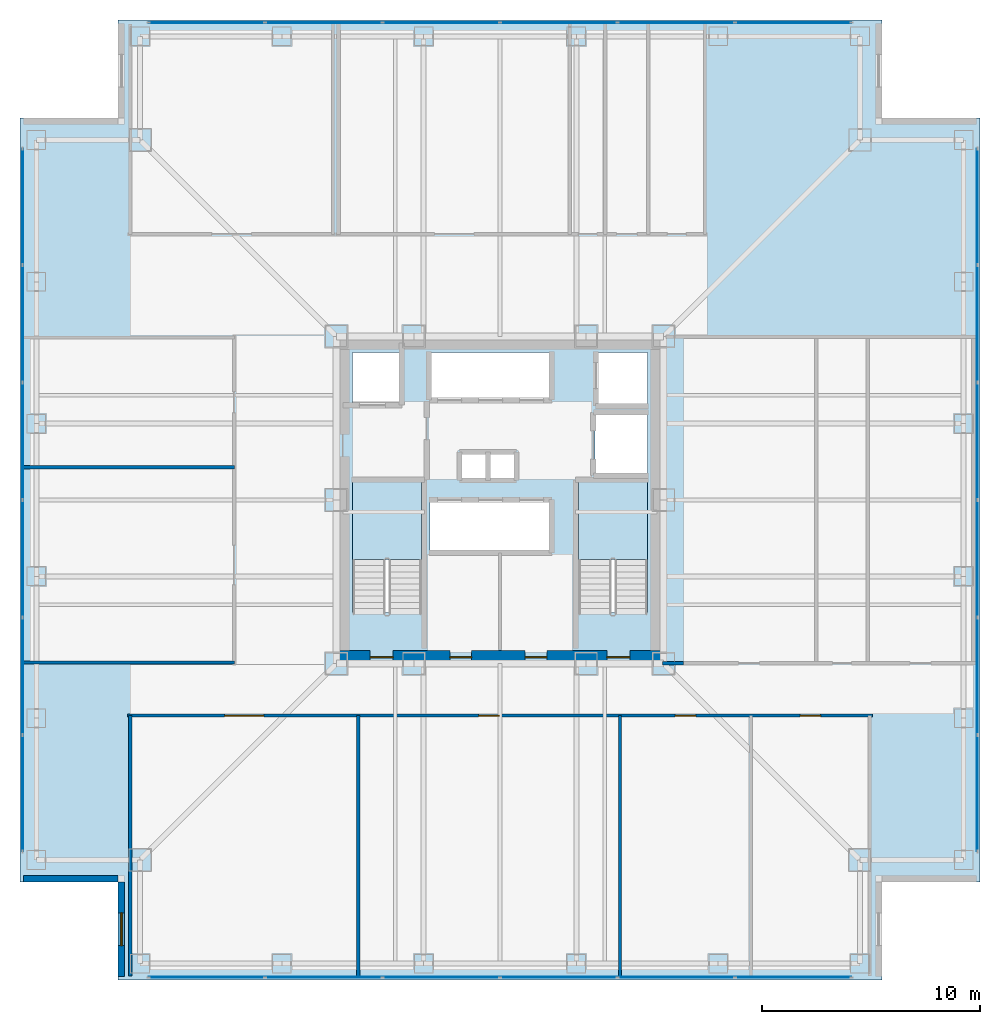
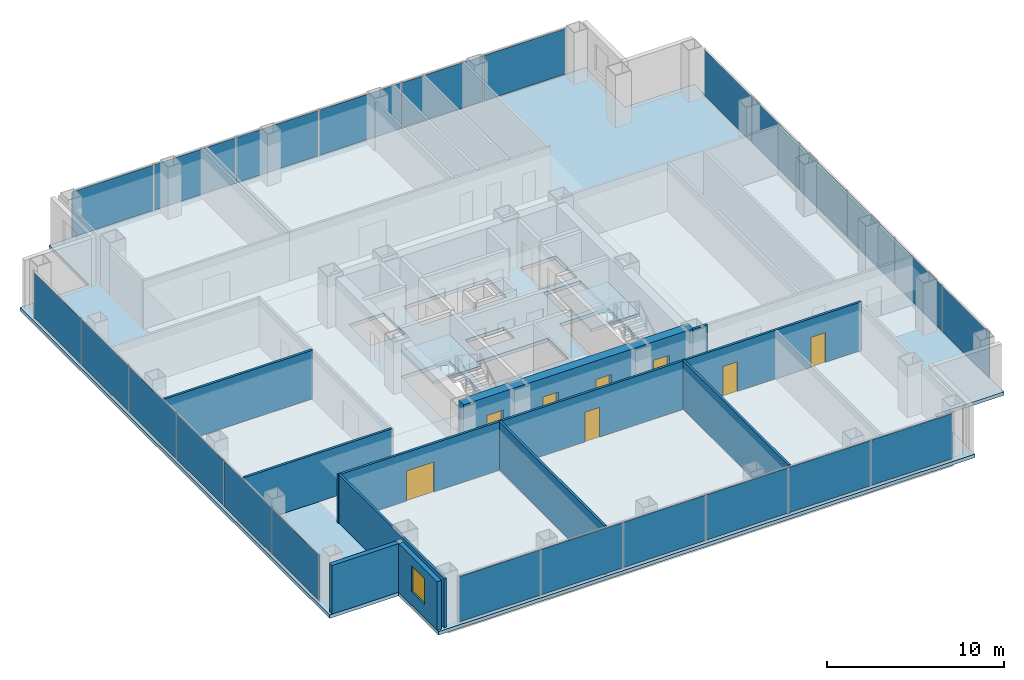
# One storey, part 9 of 14: 24 plates, 10 walls, 8 doors, 3 slabs, 1 window, 9 openings, 6 elements without a shape of their own.
"""IFC4 building model written with IfcOpenShell, lengths in metres."""

from ifc_helpers import new_model, si_unit, direction, frame, frame_2d, origin, origin_2d, place, context, subcontext, project, spatial, polyline, rectangle, outline, extrude, material, layer, layer_set, type_object, element, fill, aggregate, save


model = new_model("IFC4")

# Units and contexts
model_context = context("Model", 3, precision=1e-05, world=origin(), true_north=direction((0.0, 1.0)))
body_context = subcontext(model_context, "Body", "Model", "MODEL_VIEW")
ifc_project = project(units=[si_unit("LENGTHUNIT", "METRE"), si_unit("AREAUNIT", "SQUARE_METRE"), si_unit("VOLUMEUNIT", "CUBIC_METRE"), si_unit("PLANEANGLEUNIT", "RADIAN"), si_unit("MASSUNIT", "GRAM", prefix="KILO")], contexts=[model_context])

# Site, building, storey
site_placement = place(None, origin())
site = spatial("IfcSite", under=ifc_project, at=site_placement, CompositionType="ELEMENT")
building_placement = place(site_placement, origin())
building = spatial("IfcBuilding", under=site, at=building_placement, Name="Trevonay Congress Spire", CompositionType="ELEMENT")
storey_placement = place(building_placement, frame((0.0, 0.0, 119.199951171875)))
storey = spatial("IfcBuildingStorey", under=building, at=storey_placement, Name="L30", CompositionType="ELEMENT", Elevation=119.199951171875)

# Curtain wall, plates
ifc_material_1 = material(Name="Pale Anodised Aluminium EN AW-6063-T6", Category="aluminium")
ifc_layer_1 = layer(ifc_material_1, 0.175048828125, Name="Pale Anodised Aluminium EN AW-6063-T6")
ifc_layer_set_1 = layer_set([ifc_layer_1], Name="Pale Anodised Aluminium EN AW-6063-T6")
curtain_wall_type = type_object("IfcCurtainWallType", Name="CW-SYS03-CONGRESS-PALE-METAL", PredefinedType="NOTDEFINED", material=ifc_layer_set_1)
curtain_wall_1_placement = place(storey_placement, origin())
curtain_wall_1 = element("IfcCurtainWall", 1, at=curtain_wall_1_placement, inside=storey, type_object=curtain_wall_type, Name="L30 S unitised curtain wall", PredefinedType="NOTDEFINED")
ifc_material_2 = material(Name="Insulated Low-E Vision Glass IGU", Category="glass")
ifc_layer_2 = layer(ifc_material_2, 0.035888671875, Name="Insulated Low-E Vision Glass IGU")
ifc_layer_set_2 = layer_set([ifc_layer_2], Name="Insulated Low-E Vision Glass IGU")
plate_type = type_object("IfcPlateType", Name="CW-PANEL-IGU36-SILVER", PredefinedType="CURTAIN_PANEL", material=ifc_layer_set_2)
plate_1_placement = place(storey_placement, frame((-13.443359375, -21.8798828125, 0.119873046875), z_axis=(0.0, 0.0, 1.0), x_axis=(1.0, 0.0, 0.0)))
plate_1 = element("IfcPlate", 2, at=plate_1_placement, type_object=plate_type, Name="CW03 panel 1.1", PredefinedType="CURTAIN_PANEL", context=body_context, shape_type="SweptSolid", body=[
    extrude(rectangle(XDim=5.293212890625, YDim=0.035888671875, at=origin_2d()), origin(), (0.0, 0.0, 1.0), 3.1201171875),
])
plate_2_placement = place(storey_placement, frame((-8.074951171875, -21.8798828125, 0.119873046875), z_axis=(0.0, 0.0, 1.0), x_axis=(1.0, 0.0, 0.0)))
plate_2 = element("IfcPlate", 3, at=plate_2_placement, type_object=plate_type, Name="CW03 panel 2.1", PredefinedType="CURTAIN_PANEL", context=body_context, shape_type="SweptSolid", body=[
    extrude(rectangle(XDim=5.3232421875, YDim=0.035888671875, at=origin_2d()), origin(), (0.0, 0.0, 1.0), 3.1201171875),
])
plate_3_placement = place(storey_placement, frame((-2.691650390625, -21.8798828125, 0.119873046875), z_axis=(0.0, 0.0, 1.0), x_axis=(1.0, 0.0, 0.0)))
plate_3 = element("IfcPlate", 4, at=plate_3_placement, type_object=plate_type, Name="CW03 panel 3.1", PredefinedType="CURTAIN_PANEL", context=body_context, shape_type="SweptSolid", body=[
    extrude(rectangle(XDim=5.3232421875, YDim=0.035888671875, at=origin_2d()), origin(), (0.0, 0.0, 1.0), 3.1201171875),
])
plate_4_placement = place(storey_placement, frame((2.691650390625, -21.8798828125, 0.119873046875), z_axis=(0.0, 0.0, 1.0), x_axis=(1.0, 0.0, 0.0)))
plate_4 = element("IfcPlate", 5, at=plate_4_placement, type_object=plate_type, Name="CW03 panel 4.1", PredefinedType="CURTAIN_PANEL", context=body_context, shape_type="SweptSolid", body=[
    extrude(rectangle(XDim=5.3232421875, YDim=0.035888671875, at=origin_2d()), origin(), (0.0, 0.0, 1.0), 3.1201171875),
])
plate_5_placement = place(storey_placement, frame((8.074951171875, -21.8798828125, 0.119873046875), z_axis=(0.0, 0.0, 1.0), x_axis=(1.0, 0.0, 0.0)))
plate_5 = element("IfcPlate", 6, at=plate_5_placement, type_object=plate_type, Name="CW03 panel 5.1", PredefinedType="CURTAIN_PANEL", context=body_context, shape_type="SweptSolid", body=[
    extrude(rectangle(XDim=5.3232421875, YDim=0.035888671875, at=origin_2d()), origin(), (0.0, 0.0, 1.0), 3.1201171875),
])
plate_6_placement = place(storey_placement, frame((13.443359375, -21.8798828125, 0.119873046875), z_axis=(0.0, 0.0, 1.0), x_axis=(1.0, 0.0, 0.0)))
plate_6 = element("IfcPlate", 7, at=plate_6_placement, type_object=plate_type, Name="CW03 panel 6.1", PredefinedType="CURTAIN_PANEL", context=body_context, shape_type="SweptSolid", body=[
    extrude(rectangle(XDim=5.293212890625, YDim=0.035888671875, at=origin_2d()), origin(), (0.0, 0.0, 1.0), 3.1201171875),
])
aggregate(curtain_wall_1, [plate_1, plate_2, plate_3, plate_4, plate_5, plate_6])

curtain_wall_2_placement = place(storey_placement, origin())
curtain_wall_2 = element("IfcCurtainWall", 8, at=curtain_wall_2_placement, inside=storey, type_object=curtain_wall_type, Name="L30 N unitised curtain wall", PredefinedType="NOTDEFINED")
plate_7_placement = place(storey_placement, frame((-13.443359375, 21.8798828125, 0.119873046875), z_axis=(0.0, 0.0, 1.0), x_axis=(1.0, 0.0, 0.0)))
plate_7 = element("IfcPlate", 9, at=plate_7_placement, type_object=plate_type, Name="CW03 panel 1.1", PredefinedType="CURTAIN_PANEL", context=body_context, shape_type="SweptSolid", body=[
    extrude(rectangle(XDim=5.293212890625, YDim=0.035888671875, at=origin_2d()), origin(), (0.0, 0.0, 1.0), 3.1201171875),
])
plate_8_placement = place(storey_placement, frame((-8.074951171875, 21.8798828125, 0.119873046875), z_axis=(0.0, 0.0, 1.0), x_axis=(1.0, 0.0, 0.0)))
plate_8 = element("IfcPlate", 10, at=plate_8_placement, type_object=plate_type, Name="CW03 panel 2.1", PredefinedType="CURTAIN_PANEL", context=body_context, shape_type="SweptSolid", body=[
    extrude(rectangle(XDim=5.3232421875, YDim=0.035888671875, at=origin_2d()), origin(), (0.0, 0.0, 1.0), 3.1201171875),
])
plate_9_placement = place(storey_placement, frame((-2.691650390625, 21.8798828125, 0.119873046875), z_axis=(0.0, 0.0, 1.0), x_axis=(1.0, 0.0, 0.0)))
plate_9 = element("IfcPlate", 11, at=plate_9_placement, type_object=plate_type, Name="CW03 panel 3.1", PredefinedType="CURTAIN_PANEL", context=body_context, shape_type="SweptSolid", body=[
    extrude(rectangle(XDim=5.3232421875, YDim=0.035888671875, at=origin_2d()), origin(), (0.0, 0.0, 1.0), 3.1201171875),
])
plate_10_placement = place(storey_placement, frame((2.691650390625, 21.8798828125, 0.119873046875), z_axis=(0.0, 0.0, 1.0), x_axis=(1.0, 0.0, 0.0)))
plate_10 = element("IfcPlate", 12, at=plate_10_placement, type_object=plate_type, Name="CW03 panel 4.1", PredefinedType="CURTAIN_PANEL", context=body_context, shape_type="SweptSolid", body=[
    extrude(rectangle(XDim=5.3232421875, YDim=0.035888671875, at=origin_2d()), origin(), (0.0, 0.0, 1.0), 3.1201171875),
])
plate_11_placement = place(storey_placement, frame((8.074951171875, 21.8798828125, 0.119873046875), z_axis=(0.0, 0.0, 1.0), x_axis=(1.0, 0.0, 0.0)))
plate_11 = element("IfcPlate", 13, at=plate_11_placement, type_object=plate_type, Name="CW03 panel 5.1", PredefinedType="CURTAIN_PANEL", context=body_context, shape_type="SweptSolid", body=[
    extrude(rectangle(XDim=5.3232421875, YDim=0.035888671875, at=origin_2d()), origin(), (0.0, 0.0, 1.0), 3.1201171875),
])
plate_12_placement = place(storey_placement, frame((13.443359375, 21.8798828125, 0.119873046875), z_axis=(0.0, 0.0, 1.0), x_axis=(1.0, 0.0, 0.0)))
plate_12 = element("IfcPlate", 14, at=plate_12_placement, type_object=plate_type, Name="CW03 panel 6.1", PredefinedType="CURTAIN_PANEL", context=body_context, shape_type="SweptSolid", body=[
    extrude(rectangle(XDim=5.293212890625, YDim=0.035888671875, at=origin_2d()), origin(), (0.0, 0.0, 1.0), 3.1201171875),
])
aggregate(curtain_wall_2, [plate_7, plate_8, plate_9, plate_10, plate_11, plate_12])

curtain_wall_3_placement = place(storey_placement, origin())
curtain_wall_3 = element("IfcCurtainWall", 15, at=curtain_wall_3_placement, inside=storey, type_object=curtain_wall_type, Name="L30 W unitised curtain wall", PredefinedType="NOTDEFINED")
plate_13_placement = place(storey_placement, frame((-21.8798828125, -13.443359375, 0.119873046875), z_axis=(0.0, 0.0, 1.0), x_axis=(0.0, 1.0, 0.0)))
plate_13 = element("IfcPlate", 16, at=plate_13_placement, type_object=plate_type, Name="CW03 panel 1.1", PredefinedType="CURTAIN_PANEL", context=body_context, shape_type="SweptSolid", body=[
    extrude(rectangle(XDim=5.293212890625, YDim=0.035888671875, at=origin_2d()), origin(), (0.0, 0.0, 1.0), 3.1201171875),
])
plate_14_placement = place(storey_placement, frame((-21.8798828125, -8.074951171875, 0.119873046875), z_axis=(0.0, 0.0, 1.0), x_axis=(0.0, 1.0, 0.0)))
plate_14 = element("IfcPlate", 17, at=plate_14_placement, type_object=plate_type, Name="CW03 panel 2.1", PredefinedType="CURTAIN_PANEL", context=body_context, shape_type="SweptSolid", body=[
    extrude(rectangle(XDim=5.3232421875, YDim=0.035888671875, at=origin_2d()), origin(), (0.0, 0.0, 1.0), 3.1201171875),
])
plate_15_placement = place(storey_placement, frame((-21.8798828125, -2.691650390625, 0.119873046875), z_axis=(0.0, 0.0, 1.0), x_axis=(0.0, 1.0, 0.0)))
plate_15 = element("IfcPlate", 18, at=plate_15_placement, type_object=plate_type, Name="CW03 panel 3.1", PredefinedType="CURTAIN_PANEL", context=body_context, shape_type="SweptSolid", body=[
    extrude(rectangle(XDim=5.3232421875, YDim=0.035888671875, at=origin_2d()), origin(), (0.0, 0.0, 1.0), 3.1201171875),
])
plate_16_placement = place(storey_placement, frame((-21.8798828125, 2.691650390625, 0.119873046875), z_axis=(0.0, 0.0, 1.0), x_axis=(0.0, 1.0, 0.0)))
plate_16 = element("IfcPlate", 19, at=plate_16_placement, type_object=plate_type, Name="CW03 panel 4.1", PredefinedType="CURTAIN_PANEL", context=body_context, shape_type="SweptSolid", body=[
    extrude(rectangle(XDim=5.3232421875, YDim=0.035888671875, at=origin_2d()), origin(), (0.0, 0.0, 1.0), 3.1201171875),
])
plate_17_placement = place(storey_placement, frame((-21.8798828125, 8.074951171875, 0.119873046875), z_axis=(0.0, 0.0, 1.0), x_axis=(0.0, 1.0, 0.0)))
plate_17 = element("IfcPlate", 20, at=plate_17_placement, type_object=plate_type, Name="CW03 panel 5.1", PredefinedType="CURTAIN_PANEL", context=body_context, shape_type="SweptSolid", body=[
    extrude(rectangle(XDim=5.3232421875, YDim=0.035888671875, at=origin_2d()), origin(), (0.0, 0.0, 1.0), 3.1201171875),
])
plate_18_placement = place(storey_placement, frame((-21.8798828125, 13.443359375, 0.119873046875), z_axis=(0.0, 0.0, 1.0), x_axis=(0.0, 1.0, 0.0)))
plate_18 = element("IfcPlate", 21, at=plate_18_placement, type_object=plate_type, Name="CW03 panel 6.1", PredefinedType="CURTAIN_PANEL", context=body_context, shape_type="SweptSolid", body=[
    extrude(rectangle(XDim=5.293212890625, YDim=0.035888671875, at=origin_2d()), origin(), (0.0, 0.0, 1.0), 3.1201171875),
])
aggregate(curtain_wall_3, [plate_13, plate_14, plate_15, plate_16, plate_17, plate_18])

curtain_wall_4_placement = place(storey_placement, origin())
curtain_wall_4 = element("IfcCurtainWall", 22, at=curtain_wall_4_placement, inside=storey, type_object=curtain_wall_type, Name="L30 E unitised curtain wall", PredefinedType="NOTDEFINED")
plate_19_placement = place(storey_placement, frame((21.8798828125, -13.443359375, 0.119873046875), z_axis=(0.0, 0.0, 1.0), x_axis=(0.0, 1.0, 0.0)))
plate_19 = element("IfcPlate", 23, at=plate_19_placement, type_object=plate_type, Name="CW03 panel 1.1", PredefinedType="CURTAIN_PANEL", context=body_context, shape_type="SweptSolid", body=[
    extrude(rectangle(XDim=5.293212890625, YDim=0.035888671875, at=origin_2d()), origin(), (0.0, 0.0, 1.0), 3.1201171875),
])
plate_20_placement = place(storey_placement, frame((21.8798828125, -8.074951171875, 0.119873046875), z_axis=(0.0, 0.0, 1.0), x_axis=(0.0, 1.0, 0.0)))
plate_20 = element("IfcPlate", 24, at=plate_20_placement, type_object=plate_type, Name="CW03 panel 2.1", PredefinedType="CURTAIN_PANEL", context=body_context, shape_type="SweptSolid", body=[
    extrude(rectangle(XDim=5.3232421875, YDim=0.035888671875, at=origin_2d()), origin(), (0.0, 0.0, 1.0), 3.1201171875),
])
plate_21_placement = place(storey_placement, frame((21.8798828125, -2.691650390625, 0.119873046875), z_axis=(0.0, 0.0, 1.0), x_axis=(0.0, 1.0, 0.0)))
plate_21 = element("IfcPlate", 25, at=plate_21_placement, type_object=plate_type, Name="CW03 panel 3.1", PredefinedType="CURTAIN_PANEL", context=body_context, shape_type="SweptSolid", body=[
    extrude(rectangle(XDim=5.3232421875, YDim=0.035888671875, at=origin_2d()), origin(), (0.0, 0.0, 1.0), 3.1201171875),
])
plate_22_placement = place(storey_placement, frame((21.8798828125, 2.691650390625, 0.119873046875), z_axis=(0.0, 0.0, 1.0), x_axis=(0.0, 1.0, 0.0)))
plate_22 = element("IfcPlate", 26, at=plate_22_placement, type_object=plate_type, Name="CW03 panel 4.1", PredefinedType="CURTAIN_PANEL", context=body_context, shape_type="SweptSolid", body=[
    extrude(rectangle(XDim=5.3232421875, YDim=0.035888671875, at=origin_2d()), origin(), (0.0, 0.0, 1.0), 3.1201171875),
])
plate_23_placement = place(storey_placement, frame((21.8798828125, 8.074951171875, 0.119873046875), z_axis=(0.0, 0.0, 1.0), x_axis=(0.0, 1.0, 0.0)))
plate_23 = element("IfcPlate", 27, at=plate_23_placement, type_object=plate_type, Name="CW03 panel 5.1", PredefinedType="CURTAIN_PANEL", context=body_context, shape_type="SweptSolid", body=[
    extrude(rectangle(XDim=5.3232421875, YDim=0.035888671875, at=origin_2d()), origin(), (0.0, 0.0, 1.0), 3.1201171875),
])
plate_24_placement = place(storey_placement, frame((21.8798828125, 13.443359375, 0.119873046875), z_axis=(0.0, 0.0, 1.0), x_axis=(0.0, 1.0, 0.0)))
plate_24 = element("IfcPlate", 28, at=plate_24_placement, type_object=plate_type, Name="CW03 panel 6.1", PredefinedType="CURTAIN_PANEL", context=body_context, shape_type="SweptSolid", body=[
    extrude(rectangle(XDim=5.293212890625, YDim=0.035888671875, at=origin_2d()), origin(), (0.0, 0.0, 1.0), 3.1201171875),
])
aggregate(curtain_wall_4, [plate_19, plate_20, plate_21, plate_22, plate_23, plate_24])

# Stair, slab
ifc_material_3 = material(Name="Concrete C40/50", Category="concrete")
stair_type_1 = type_object("IfcStairType", Name="STR-ST-1", PredefinedType="HALF_TURN_STAIR", material=ifc_material_3)
stair_1_placement = place(storey_placement, origin())
stair_1 = element("IfcStair", 29, at=stair_1_placement, inside=storey, type_object=stair_type_1, Name="L30 Protected Exit Stair ST-1", PredefinedType="HALF_TURN_STAIR")
ifc_layer_3 = layer(ifc_material_3, 0.199951171875, Name="Concrete C40/50")
ifc_layer_set_3 = layer_set([ifc_layer_3], Name="Concrete C40/50")
slab_type_1 = type_object("IfcSlabType", Name="SLB-STAIR-LAND-200", PredefinedType="LANDING", material=ifc_layer_set_3)
slab_1_placement = place(storey_placement, frame((0.0, 0.0, 1.60009765625)))
slab_1 = element("IfcSlab", 30, at=slab_1_placement, type_object=slab_type_1, Name="ST-1 landing 1", PredefinedType="LANDING", context=body_context, shape_type="SweptSolid", body=[
    extrude(outline(polyline([(-3.60009765625, -2.72998046875), (-3.60009765625, 0.85009765625), (-6.75, 0.85009765625), (-6.75, -2.72998046875), (-3.60009765625, -2.72998046875)])), origin(), (0.0, 0.0, 1.0), 0.199951171875),
])
aggregate(stair_1, [slab_1])

stair_type_2 = type_object("IfcStairType", Name="STR-ST-2", PredefinedType="HALF_TURN_STAIR", material=ifc_material_3)
stair_2_placement = place(storey_placement, origin())
stair_2 = element("IfcStair", 31, at=stair_2_placement, inside=storey, type_object=stair_type_2, Name="L30 Protected Exit Stair ST-2", PredefinedType="HALF_TURN_STAIR")
slab_2_placement = place(storey_placement, frame((0.0, 0.0, 1.60009765625)))
slab_2 = element("IfcSlab", 32, at=slab_2_placement, type_object=slab_type_1, Name="ST-2 landing 1", PredefinedType="LANDING", context=body_context, shape_type="SweptSolid", body=[
    extrude(outline(polyline([(6.75, -2.72998046875), (6.75, 0.85009765625), (3.60009765625, 0.85009765625), (3.60009765625, -2.72998046875), (6.75, -2.72998046875)])), origin(), (0.0, 0.0, 1.0), 0.199951171875),
])
aggregate(stair_2, [slab_2])

# Slab
ifc_layer_4 = layer(ifc_material_3, 0.239990234375, Name="Concrete C40/50")
ifc_layer_set_4 = layer_set([ifc_layer_4], Name="Concrete C40/50")
slab_type_2 = type_object("IfcSlabType", Name="SLB-TOW2-240", PredefinedType="FLOOR", material=ifc_layer_set_4)
slab_3_placement = place(storey_placement, frame((0.0, 0.0, -0.239990234375)))
element("IfcSlab", 33, at=slab_3_placement, inside=storey, type_object=slab_type_2, Name="L30 structural floor slab", PredefinedType="FLOOR", context=body_context, shape_type="SweptSolid", body=[
    extrude(outline(polyline([(-17.5, -22.0), (17.5, -22.0), (17.5, -17.5), (22.0, -17.5), (22.0, 17.5), (17.5, 17.5), (17.5, 22.0), (-17.5, 22.0), (-17.5, 17.5), (-22.0, 17.5), (-22.0, -17.5), (-17.5, -17.5), (-17.5, -22.0)]), holes=[polyline([(-3.60009765625, -5.14990234375), (-3.60009765625, 0.85009765625), (-6.75, 0.85009765625), (-6.75, -5.14990234375), (-3.60009765625, -5.14990234375)]), polyline([(6.75, -5.14990234375), (6.75, 0.85009765625), (3.60009765625, 0.85009765625), (3.60009765625, -5.14990234375), (6.75, -5.14990234375)]), polyline([(-3.199951171875, -2.35009765625), (2.340087890625, -2.35009765625), (2.340087890625, -0.050048828125), (-3.199951171875, -0.050048828125), (-3.199951171875, -2.35009765625)]), polyline([(-3.199951171875, 4.64990234375), (2.340087890625, 4.64990234375), (2.340087890625, 6.75), (-3.199951171875, 6.75), (-3.199951171875, 4.64990234375)]), polyline([(-6.75, 4.35009765625), (-4.449951171875, 4.35009765625), (-4.449951171875, 6.75), (-6.75, 6.75), (-6.75, 4.35009765625)]), polyline([(4.449951171875, 4.35009765625), (6.75, 4.35009765625), (6.75, 6.75), (4.449951171875, 6.75), (4.449951171875, 4.35009765625)]), polyline([(4.35009765625, 1.199951171875), (6.75, 1.199951171875), (6.75, 3.949951171875), (4.35009765625, 3.949951171875), (4.35009765625, 1.199951171875)]), polyline([(-1.800048828125, 0.949951171875), (0.699951171875, 0.949951171875), (0.699951171875, 2.14990234375), (-1.800048828125, 2.14990234375), (-1.800048828125, 0.949951171875)])]), origin(), (0.0, 0.0, 1.0), 0.239990234375),
])

# Wall, openings, doors
ifc_material_4 = material(Name="Concrete C60/75", Category="concrete")
ifc_layer_5 = layer(ifc_material_4, 0.60009765625, Name="Concrete C60/75")
ifc_layer_set_5 = layer_set([ifc_layer_5], Name="Concrete C60/75")
wall_type_1 = type_object("IfcWallType", Name="WAL-CORE-600", PredefinedType="SHEAR", material=ifc_layer_set_5)
wall_1_placement = place(storey_placement, frame((-7.5, -7.199951171875, 0.0), z_axis=(0.0, 0.0, 1.0), x_axis=(1.0, 0.0, 0.0)))
wall_1 = element("IfcWall", 34, at=wall_1_placement, inside=storey, type_object=wall_type_1, Name="L30 South structural core shear wall", PredefinedType="SHEAR", context=body_context, shape_type="SweptSolid", body=[
    extrude(rectangle(XDim=15.0, YDim=0.60009765625, at=frame_2d((7.5, 0.0))), origin(), (0.0, 0.0, 1.0), 3.360107421875),
])
opening_1_placement = place(wall_1_placement, frame((1.550048828125, 0.0, 0.0)))
opening_1 = element("IfcOpeningElement", 35, at=opening_1_placement, cuts=wall_1, Name="Opening D05", PredefinedType="OPENING", context=body_context, shape_type="SweptSolid", body=[
    extrude(rectangle(XDim=1.050048828125, YDim=2.080078125, at=frame_2d((0.52490234375, 1.0400390625))), frame((0.0, 0.31005859375, 0.0), z_axis=(0.0, -1.0, 0.0), x_axis=(1.0, 0.0, 0.0)), (0.0, 0.0, 1.0), 0.6201171875),
])
opening_2_placement = place(wall_1_placement, frame((12.39990234375, 0.0, 0.0)))
opening_2 = element("IfcOpeningElement", 36, at=opening_2_placement, cuts=wall_1, Name="Opening D05", PredefinedType="OPENING", context=body_context, shape_type="SweptSolid", body=[
    extrude(rectangle(XDim=1.050048828125, YDim=2.080078125, at=frame_2d((0.52490234375, 1.0400390625))), frame((0.0, 0.31005859375, 0.0), z_axis=(0.0, -1.0, 0.0), x_axis=(1.0, 0.0, 0.0)), (0.0, 0.0, 1.0), 0.6201171875),
])
opening_3_placement = place(wall_1_placement, frame((5.199951171875, 0.0, 0.0)))
opening_3 = element("IfcOpeningElement", 37, at=opening_3_placement, cuts=wall_1, Name="Opening D06", PredefinedType="OPENING", context=body_context, shape_type="SweptSolid", body=[
    extrude(rectangle(XDim=1.0, YDim=2.080078125, at=frame_2d((0.5, 1.0400390625))), frame((0.0, 0.31005859375, 0.0), z_axis=(0.0, -1.0, 0.0), x_axis=(1.0, 0.0, 0.0)), (0.0, 0.0, 1.0), 0.6201171875),
])
opening_4_placement = place(wall_1_placement, frame((8.64990234375, 0.0, 0.0)))
opening_4 = element("IfcOpeningElement", 38, at=opening_4_placement, cuts=wall_1, Name="Opening D06", PredefinedType="OPENING", context=body_context, shape_type="SweptSolid", body=[
    extrude(rectangle(XDim=1.0, YDim=2.080078125, at=frame_2d((0.5, 1.0400390625))), frame((0.0, 0.31005859375, 0.0), z_axis=(0.0, -1.0, 0.0), x_axis=(1.0, 0.0, 0.0)), (0.0, 0.0, 1.0), 0.6201171875),
])
ifc_material_5 = material(Name="Steel ASTM A572 Grade 50", Category="steel")
door_type_1 = type_object("IfcDoorType", Name="DOR-FIRE-100", OperationType="NOTDEFINED", PredefinedType="DOOR", material=ifc_material_5)
door_1_placement = place(opening_3_placement, origin())
door_1 = element("IfcDoor", 39, at=door_1_placement, inside=storey, type_object=door_type_1, Name="L30 South Core Room 1 Door", OperationType="SINGLE_SWING_LEFT", OverallHeight=2.080078125, OverallWidth=1.0, PredefinedType="DOOR", context=body_context, shape_type="SweptSolid", body=[
    extrude(rectangle(XDim=1.0, YDim=2.080078125, at=frame_2d((0.5, 1.0400390625))), frame((0.0, 0.02490234375, 0.0), z_axis=(0.0, -1.0, 0.0), x_axis=(1.0, 0.0, 0.0)), (0.0, 0.0, 1.0), 0.050048828125),
])
fill(opening_3, door_1)
door_2_placement = place(opening_4_placement, origin())
door_2 = element("IfcDoor", 40, at=door_2_placement, inside=storey, type_object=door_type_1, Name="L30 South Core Room 2 Door", OperationType="SINGLE_SWING_RIGHT", OverallHeight=2.080078125, OverallWidth=1.0, PredefinedType="DOOR", context=body_context, shape_type="SweptSolid", body=[
    extrude(rectangle(XDim=1.0, YDim=2.080078125, at=frame_2d((0.5, 1.0400390625))), frame((0.0, 0.02490234375, 0.0), z_axis=(0.0, -1.0, 0.0), x_axis=(1.0, 0.0, 0.0)), (0.0, 0.0, 1.0), 0.050048828125),
])
fill(opening_4, door_2)
door_type_2 = type_object("IfcDoorType", Name="DOR-STAIR-110", OperationType="NOTDEFINED", PredefinedType="DOOR", material=ifc_material_5)
door_3_placement = place(opening_1_placement, origin())
door_3 = element("IfcDoor", 41, at=door_3_placement, inside=storey, type_object=door_type_2, Name="L30 Protected Stair ST-1 Door", OperationType="SINGLE_SWING_RIGHT", OverallHeight=2.080078125, OverallWidth=1.050048828125, PredefinedType="DOOR", context=body_context, shape_type="SweptSolid", body=[
    extrude(rectangle(XDim=1.050048828125, YDim=2.080078125, at=frame_2d((0.52490234375, 1.0400390625))), frame((0.0, 0.02490234375, 0.0), z_axis=(0.0, -1.0, 0.0), x_axis=(1.0, 0.0, 0.0)), (0.0, 0.0, 1.0), 0.050048828125),
])
fill(opening_1, door_3)
door_4_placement = place(opening_2_placement, origin())
door_4 = element("IfcDoor", 42, at=door_4_placement, inside=storey, type_object=door_type_2, Name="L30 Protected Stair ST-2 Door", OperationType="SINGLE_SWING_LEFT", OverallHeight=2.080078125, OverallWidth=1.050048828125, PredefinedType="DOOR", context=body_context, shape_type="SweptSolid", body=[
    extrude(rectangle(XDim=1.050048828125, YDim=2.080078125, at=frame_2d((0.52490234375, 1.0400390625))), frame((0.0, 0.02490234375, 0.0), z_axis=(0.0, -1.0, 0.0), x_axis=(1.0, 0.0, 0.0)), (0.0, 0.0, 1.0), 0.050048828125),
])
fill(opening_2, door_4)

ifc_layer_6 = layer(ifc_material_3, 0.14990234375, Name="Concrete C40/50")
ifc_layer_set_6 = layer_set([ifc_layer_6], Name="Concrete C40/50")
wall_type_2 = type_object("IfcWallType", Name="WAL-CORR-150", PredefinedType="PARTITIONING", material=ifc_layer_set_6)
wall_2_placement = place(storey_placement, frame((-17.070068359375, -9.8798828125, 0.0), z_axis=(0.0, 0.0, 1.0), x_axis=(1.0, 0.0, 0.0)))
wall_2 = element("IfcWall", 43, at=wall_2_placement, inside=storey, type_object=wall_type_2, Name="L30 interior wall WP-L30S-COR", PredefinedType="PARTITIONING", context=body_context, shape_type="SweptSolid", body=[
    extrude(rectangle(XDim=34.14013671875, YDim=0.14990234375, at=frame_2d((17.070068359375, 0.0))), origin(), (0.0, 0.0, 1.0), 3.360107421875),
])
opening_5_placement = place(wall_2_placement, frame((4.445068359375, 0.0, 0.0)))
opening_5 = element("IfcOpeningElement", 44, at=opening_5_placement, cuts=wall_2, Name="Opening D09", PredefinedType="OPENING", context=body_context, shape_type="SweptSolid", body=[
    extrude(rectangle(XDim=1.800048828125, YDim=2.080078125, at=frame_2d((0.89990234375, 1.0400390625))), frame((0.0, 0.0849609375, 0.0), z_axis=(0.0, -1.0, 0.0), x_axis=(1.0, 0.0, 0.0)), (0.0, 0.0, 1.0), 0.169921875),
])
opening_6_placement = place(wall_2_placement, frame((16.094970703125, 0.0, 0.0)))
opening_6 = element("IfcOpeningElement", 45, at=opening_6_placement, cuts=wall_2, Name="Opening D07", PredefinedType="OPENING", context=body_context, shape_type="SweptSolid", body=[
    extrude(rectangle(XDim=0.949951171875, YDim=2.06005859375, at=frame_2d((0.47509765625, 1.030029296875))), frame((0.0, 0.0849609375, 0.0), z_axis=(0.0, -1.0, 0.0), x_axis=(1.0, 0.0, 0.0)), (0.0, 0.0, 1.0), 0.169921875),
])
opening_7_placement = place(wall_2_placement, frame((25.094970703125, 0.0, 0.0)))
opening_7 = element("IfcOpeningElement", 46, at=opening_7_placement, cuts=wall_2, Name="Opening D07", PredefinedType="OPENING", context=body_context, shape_type="SweptSolid", body=[
    extrude(rectangle(XDim=0.949951171875, YDim=2.06005859375, at=frame_2d((0.47509765625, 1.030029296875))), frame((0.0, 0.0849609375, 0.0), z_axis=(0.0, -1.0, 0.0), x_axis=(1.0, 0.0, 0.0)), (0.0, 0.0, 1.0), 0.169921875),
])
opening_8_placement = place(wall_2_placement, frame((30.820068359375, 0.0, 0.0)))
opening_8 = element("IfcOpeningElement", 47, at=opening_8_placement, cuts=wall_2, Name="Opening D07", PredefinedType="OPENING", context=body_context, shape_type="SweptSolid", body=[
    extrude(rectangle(XDim=0.949951171875, YDim=2.06005859375, at=frame_2d((0.47509765625, 1.030029296875))), frame((0.0, 0.0849609375, 0.0), z_axis=(0.0, -1.0, 0.0), x_axis=(1.0, 0.0, 0.0)), (0.0, 0.0, 1.0), 0.169921875),
])
door_type_3 = type_object("IfcDoorType", Name="DOR-CONF-DBL", OperationType="DOUBLE_DOOR_SINGLE_SWING", PredefinedType="DOOR", material=ifc_material_1)
door_5_placement = place(opening_5_placement, origin())
door_5 = element("IfcDoor", 48, at=door_5_placement, inside=storey, type_object=door_type_3, Name="L30 Delegates Dining Restaurant West Door", OperationType="DOUBLE_DOOR_SINGLE_SWING", OverallHeight=2.080078125, OverallWidth=1.800048828125, PredefinedType="DOOR", context=body_context, shape_type="SweptSolid", body=[
    extrude(rectangle(XDim=1.800048828125, YDim=2.080078125, at=frame_2d((0.89990234375, 1.0400390625))), frame((0.0, 0.02490234375, 0.0), z_axis=(0.0, -1.0, 0.0), x_axis=(1.0, 0.0, 0.0)), (0.0, 0.0, 1.0), 0.050048828125),
])
fill(opening_5, door_5)
door_type_4 = type_object("IfcDoorType", Name="DOR-OFFICE-95", OperationType="NOTDEFINED", PredefinedType="DOOR", material=ifc_material_1)
door_6_placement = place(opening_6_placement, origin())
door_6 = element("IfcDoor", 49, at=door_6_placement, inside=storey, type_object=door_type_4, Name="L30 Culinary Archive Office Door", OperationType="SINGLE_SWING_RIGHT", OverallHeight=2.06005859375, OverallWidth=0.949951171875, PredefinedType="DOOR", context=body_context, shape_type="SweptSolid", body=[
    extrude(rectangle(XDim=0.949951171875, YDim=2.06005859375, at=frame_2d((0.47509765625, 1.030029296875))), frame((0.0, 0.02490234375, 0.0), z_axis=(0.0, -1.0, 0.0), x_axis=(1.0, 0.0, 0.0)), (0.0, 0.0, 1.0), 0.050048828125),
])
fill(opening_6, door_6)
door_7_placement = place(opening_7_placement, origin())
door_7 = element("IfcDoor", 50, at=door_7_placement, inside=storey, type_object=door_type_4, Name="L30 Main Finishing Kitchen Door", OperationType="SINGLE_SWING_LEFT", OverallHeight=2.06005859375, OverallWidth=0.949951171875, PredefinedType="DOOR", context=body_context, shape_type="SweptSolid", body=[
    extrude(rectangle(XDim=0.949951171875, YDim=2.06005859375, at=frame_2d((0.47509765625, 1.030029296875))), frame((0.0, 0.02490234375, 0.0), z_axis=(0.0, -1.0, 0.0), x_axis=(1.0, 0.0, 0.0)), (0.0, 0.0, 1.0), 0.050048828125),
])
fill(opening_7, door_7)
door_8_placement = place(opening_8_placement, origin())
door_8 = element("IfcDoor", 51, at=door_8_placement, inside=storey, type_object=door_type_4, Name="L30 Dishwash and Pastry Pantry Door", OperationType="SINGLE_SWING_RIGHT", OverallHeight=2.06005859375, OverallWidth=0.949951171875, PredefinedType="DOOR", context=body_context, shape_type="SweptSolid", body=[
    extrude(rectangle(XDim=0.949951171875, YDim=2.06005859375, at=frame_2d((0.47509765625, 1.030029296875))), frame((0.0, 0.02490234375, 0.0), z_axis=(0.0, -1.0, 0.0), x_axis=(1.0, 0.0, 0.0)), (0.0, 0.0, 1.0), 0.050048828125),
])
fill(opening_8, door_8)

# Wall
wall_3_placement = place(storey_placement, frame((7.449951171875, -7.47998046875, 0.0), z_axis=(0.0, 0.0, 1.0), x_axis=(1.0, 0.0, 0.0)))
element("IfcWall", 52, at=wall_3_placement, inside=storey, type_object=wall_type_2, Name="L30 interior wall WP-L30E-STUB", PredefinedType="PARTITIONING", context=body_context, shape_type="SweptSolid", body=[
    extrude(rectangle(XDim=0.949951171875, YDim=0.14990234375, at=frame_2d((0.47509765625, 0.0))), origin(), (0.0, 0.0, 1.0), 3.360107421875),
])

# Wall, opening, window
ifc_material_6 = material(Name="Precast concrete C40/50", Category="concrete")
ifc_layer_7 = layer(ifc_material_6, 0.300048828125, Name="Precast concrete C40/50")
ifc_layer_set_7 = layer_set([ifc_layer_7], Name="Precast concrete C40/50")
wall_type_3 = type_object("IfcWallType", Name="WAL-EXT-PRECAST-300", PredefinedType="SOLIDWALL", material=ifc_layer_set_7)
wall_4_placement = place(storey_placement, frame((-17.35009765625, -21.85009765625, 0.0), z_axis=(0.0, 0.0, 1.0), x_axis=(0.0, 1.0, 0.0)))
wall_4 = element("IfcWall", 53, at=wall_4_placement, inside=storey, type_object=wall_type_3, Name="L30 SW re-entrant notch exterior wall 1", PredefinedType="SOLIDWALL", context=body_context, shape_type="SweptSolid", body=[
    extrude(rectangle(XDim=4.35009765625, YDim=0.300048828125, at=frame_2d((2.175048828125, 0.0))), origin(), (0.0, 0.0, 1.0), 3.360107421875),
])
opening_9_placement = place(wall_4_placement, frame((1.425048828125, 0.0, 0.89990234375)))
opening_9 = element("IfcOpeningElement", 54, at=opening_9_placement, cuts=wall_4, Name="Opening WN03", PredefinedType="OPENING", context=body_context, shape_type="SweptSolid", body=[
    extrude(rectangle(XDim=1.5, YDim=1.800048828125, at=frame_2d((0.75, 0.89990234375))), frame((0.0, 0.16015625, 0.0), z_axis=(0.0, -1.0, 0.0), x_axis=(1.0, 0.0, 0.0)), (0.0, 0.0, 1.0), 0.320068359375),
])
window_type = type_object("IfcWindowType", Name="WIN-NOTCH-150X180", PartitioningType="SINGLE_PANEL", PredefinedType="WINDOW", material=ifc_material_2)
window_placement = place(opening_9_placement, origin())
window = element("IfcWindow", 55, at=window_placement, inside=storey, type_object=window_type, Name="L30 SW corner notch window", OverallHeight=1.800048828125, OverallWidth=1.5, PartitioningType="SINGLE_PANEL", PredefinedType="WINDOW", context=body_context, shape_type="SweptSolid", body=[
    extrude(rectangle(XDim=1.5, YDim=1.800048828125, at=frame_2d((0.75, 0.89990234375))), frame((0.0, 0.030029296875, 0.0), z_axis=(0.0, -1.0, 0.0), x_axis=(1.0, 0.0, 0.0)), (0.0, 0.0, 1.0), 0.06005859375),
])
fill(opening_9, window)

# Walls
wall_5_placement = place(storey_placement, frame((-21.85009765625, -17.35009765625, 0.0), z_axis=(0.0, 0.0, 1.0), x_axis=(1.0, 0.0, 0.0)))
element("IfcWall", 56, at=wall_5_placement, inside=storey, type_object=wall_type_3, Name="L30 SW re-entrant notch exterior wall 2", PredefinedType="SOLIDWALL", context=body_context, shape_type="SweptSolid", body=[
    extrude(rectangle(XDim=4.35009765625, YDim=0.300048828125, at=frame_2d((2.175048828125, 0.0))), origin(), (0.0, 0.0, 1.0), 3.360107421875),
])
ifc_layer_8 = layer(ifc_material_3, 0.14990234375, Name="Concrete C40/50")
ifc_layer_set_8 = layer_set([ifc_layer_8], Name="Concrete C40/50")
wall_type_4 = type_object("IfcWallType", Name="WAL-PART-150", PredefinedType="PARTITIONING", material=ifc_layer_set_8)
for number, where, z_axis, x_axis, name in (
    (57, (-16.949951171875, -21.820068359375, 0.0), (0.0, 0.0, 1.0), (0.0, 1.0, 0.0), "L30 interior wall WP-L30S-DIV1"),
    (58, (-6.5, -21.820068359375, 0.0), (0.0, 0.0, 1.0), (0.0, 1.0, 0.0), "L30 interior wall WP-L30S-DIV2"),
    (59, (5.5, -21.820068359375, 0.0), (0.0, 0.0, 1.0), (0.0, 1.0, 0.0), "L30 interior wall WP-L30S-DIV3"),
):
    element("IfcWall", number, at=place(storey_placement, frame(where, z_axis=z_axis, x_axis=x_axis)), inside=storey, type_object=wall_type_4, Name=name, PredefinedType="PARTITIONING", context=body_context, shape_type="SweptSolid", body=[
        extrude(rectangle(XDim=11.940185546875, YDim=0.14990234375, at=frame_2d((5.97021484375, 0.0))), origin(), (0.0, 0.0, 1.0), 3.360107421875),
    ])
for number, where, z_axis, x_axis, name in (
    (60, (-21.820068359375, -7.449951171875, 0.0), (0.0, 0.0, 1.0), (1.0, 0.0, 0.0), "L30 interior wall WP-L30W-DIV1"),
    (61, (-21.820068359375, 1.5, 0.0), (0.0, 0.0, 1.0), (1.0, 0.0, 0.0), "L30 interior wall WP-L30W-DIV2"),
):
    element("IfcWall", number, at=place(storey_placement, frame(where, z_axis=z_axis, x_axis=x_axis)), inside=storey, type_object=wall_type_4, Name=name, PredefinedType="PARTITIONING", context=body_context, shape_type="SweptSolid", body=[
        extrude(rectangle(XDim=9.64013671875, YDim=0.14990234375, at=frame_2d((4.820068359375, 0.0))), origin(), (0.0, 0.0, 1.0), 3.360107421875),
    ])

save(model, "model.ifc")
